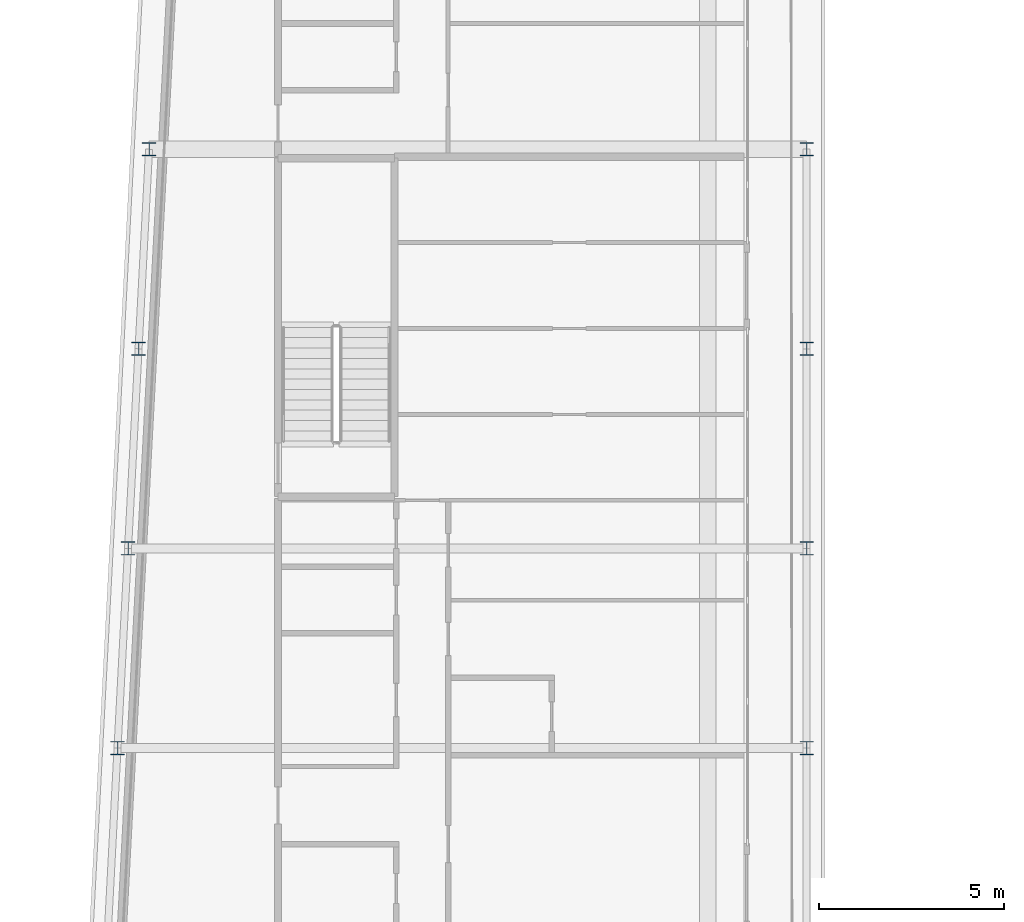
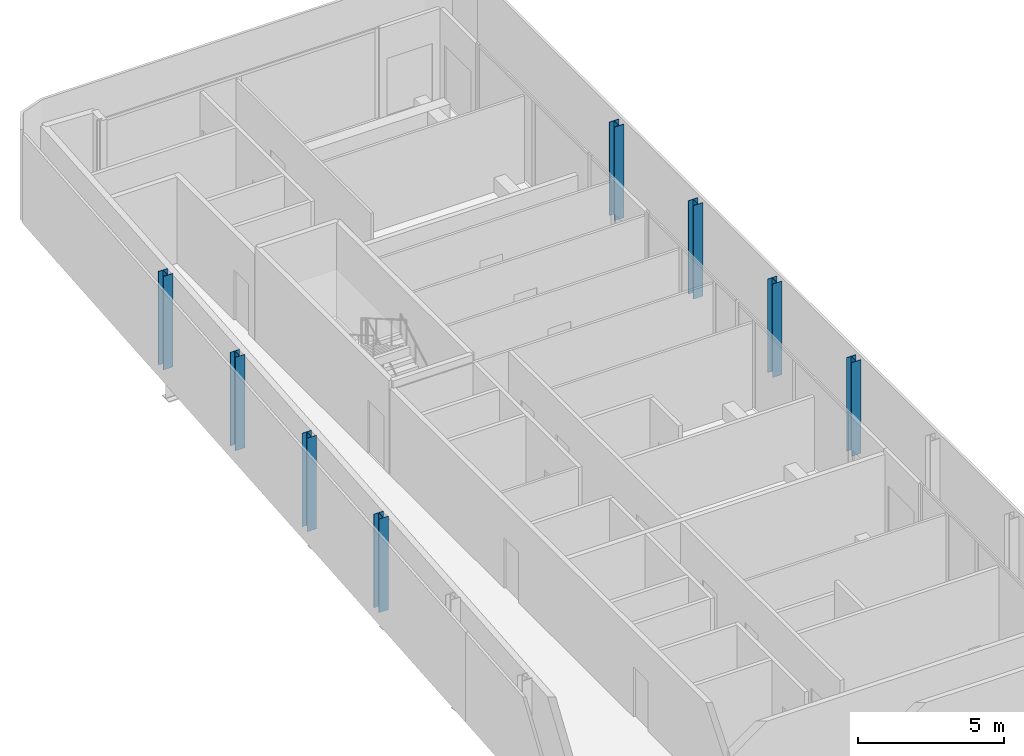
# One storey, part 3 of 18: 8 columns.
"""IFC4 building model written with IfcOpenShell, lengths in metres."""

from ifc_helpers import new_model, si_unit, direction, frame, origin, origin_2d, place, context, subcontext, project, spatial, i_section, extrude, material, material_profile, profile_set, type_object, element, save


model = new_model("IFC4")

# Units and contexts
model_context = context("Model", 3, precision=1e-05, world=origin(), true_north=direction((0.0, 1.0)))
body_context = subcontext(model_context, "Body", "Model", "MODEL_VIEW")
ifc_project = project(units=[si_unit("LENGTHUNIT", "METRE"), si_unit("AREAUNIT", "SQUARE_METRE"), si_unit("VOLUMEUNIT", "CUBIC_METRE"), si_unit("PLANEANGLEUNIT", "RADIAN"), si_unit("MASSUNIT", "GRAM", prefix="KILO")], contexts=[model_context])

# Site, building, storey
site_placement = place(None, origin())
site = spatial("IfcSite", under=ifc_project, at=site_placement, CompositionType="ELEMENT")
building_placement = place(site_placement, origin())
building = spatial("IfcBuilding", under=site, at=building_placement, Name="Kheshtan School and Residences Tower", CompositionType="ELEMENT")
storey_placement = place(building_placement, frame((0.0, 0.0, 377.300048828125)))
storey = spatial("IfcBuildingStorey", under=building, at=storey_placement, Name="L89", CompositionType="ELEMENT", Elevation=377.300048828125)

# Columns
ifc_material = material(Name="Steel ASTM A992 Grade 50", Category="steel")
ifc_material_profile = material_profile(ifc_material, i_section(OverallWidth=0.37109375, OverallDepth=0.364013671875, WebThickness=0.01318359375, FlangeThickness=0.021728515625, FilletRadius=0.010986328125, at=origin_2d()), Name="W360x162")
ifc_profile_set = profile_set([ifc_material_profile], Name="Steel ASTM A992 Grade 50")
column_type = type_object("IfcColumnType", Name="Column C6 W360x162 ASTM A992 Grade 50", PredefinedType="COLUMN", material=ifc_profile_set)
for number, where, z_axis, x_axis, name in (
    (1, (28.9580078125, 72.60009765625, 0.0), (0.0, 0.0, 1.0), (1.0, 0.0, 0.0), "Column C086"),
    (2, (47.60009765625, 72.60009765625, 0.0), (0.0, 0.0, 1.0), (1.0, 0.0, 0.0), "Column C087"),
    (3, (29.242919921875, 78.0, 0.0), (0.0, 0.0, 1.0), (1.0, 0.0, 0.0), "Column C088"),
    (4, (47.60009765625, 78.0, 0.0), (0.0, 0.0, 1.0), (1.0, 0.0, 0.0), "Column C089"),
    (5, (29.527099609375, 83.39990234375, 0.0), (0.0, 0.0, 1.0), (1.0, 0.0, 0.0), "Column C090"),
    (6, (47.60009765625, 83.39990234375, 0.0), (0.0, 0.0, 1.0), (1.0, 0.0, 0.0), "Column C091"),
    (7, (29.81103515625, 88.800048828125, 0.0), (0.0, 0.0, 1.0), (1.0, 0.0, 0.0), "Column C098"),
    (8, (47.60009765625, 88.800048828125, 0.0), (0.0, 0.0, 1.0), (1.0, 0.0, 0.0), "Column C099"),
):
    element("IfcColumn", number, at=place(storey_placement, frame(where, z_axis=z_axis, x_axis=x_axis)), inside=storey, type_object=column_type, Name=name, PredefinedType="COLUMN", context=body_context, shape_type="SweptSolid", body=[
        extrude(i_section(OverallWidth=0.37109375, OverallDepth=0.364013671875, WebThickness=0.01318359375, FlangeThickness=0.021728515625, FilletRadius=0.010986328125, at=origin_2d()), origin(), (0.0, 0.0, 1.0), 3.89990234375),
    ])

save(model, "model.ifc")
